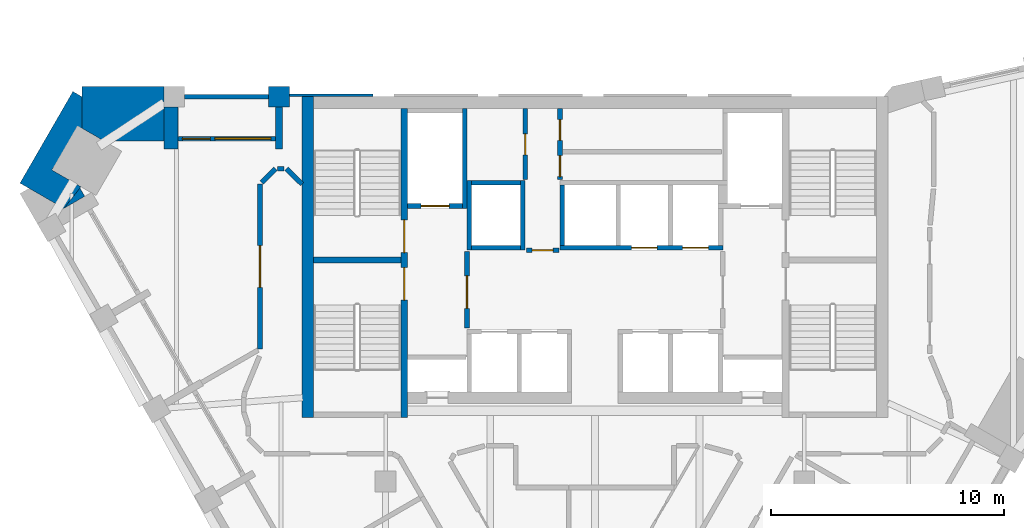
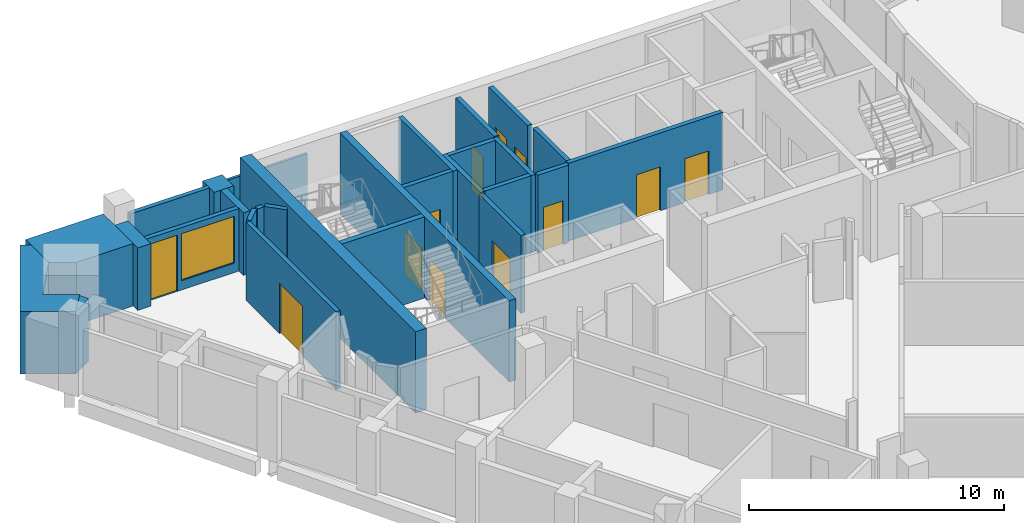
# One storey, part 5 of 8: 28 walls, 12 doors, 1 window, 13 openings.
"""IFC4 building model written with IfcOpenShell, lengths in metres."""

from ifc_helpers import new_model, si_unit, direction, frame, frame_2d, origin, place, context, subcontext, project, spatial, polyline, rectangle, outline, extrude, material, layer, layer_set, type_object, element, fill, save


model = new_model("IFC4")

# Units and contexts
model_context = context("Model", 3, precision=1e-05, world=origin(), true_north=direction((0.0, 1.0)))
body_context = subcontext(model_context, "Body", "Model", "MODEL_VIEW")
ifc_project = project(units=[si_unit("LENGTHUNIT", "METRE"), si_unit("AREAUNIT", "SQUARE_METRE"), si_unit("VOLUMEUNIT", "CUBIC_METRE"), si_unit("PLANEANGLEUNIT", "RADIAN"), si_unit("MASSUNIT", "GRAM", prefix="KILO")], contexts=[model_context])

# Site, building, storey
site_placement = place(None, origin())
site = spatial("IfcSite", under=ifc_project, at=site_placement, CompositionType="ELEMENT")
building_placement = place(site_placement, origin())
building = spatial("IfcBuilding", under=site, at=building_placement, Name="Calabash Gate Tower", CompositionType="ELEMENT")
storey_placement = place(building_placement, frame((0.0, 0.0, 259.89990234375)))
storey = spatial("IfcBuildingStorey", under=building, at=storey_placement, Name="L62", CompositionType="ELEMENT", Elevation=259.89990234375)

# Walls
ifc_material_1 = material(Name="Terracotta brick masonry, exposed face", Category="masonry")
ifc_layer_1 = layer(ifc_material_1, 2.35009765625)
ifc_layer_set_1 = layer_set([ifc_layer_1], Name="Brick corner mass wall 2350")
wall_type_1 = type_object("IfcWallType", Name="Brick corner mass wall 2350", PredefinedType="SOLIDWALL", material=ifc_layer_set_1)
wall_1_placement = place(storey_placement, origin())
element("IfcWall", 1, at=wall_1_placement, inside=storey, type_object=wall_type_1, Name="Brick corner pier S18 3a", PredefinedType="SOLIDWALL", context=body_context, shape_type="SweptSolid", body=[
    extrude(outline(polyline([(-21.11572265625, 17.152587890625), (-18.53857421875, 17.152587890625), (-18.53857421875, 18.60302734375), (-18.5390625, 18.60302734375), (-18.5390625, 19.50244140625), (-22.058349609375, 19.50244140625), (-22.058349609375, 17.69677734375), (-21.11572265625, 17.152587890625)])), origin(), (0.0, 0.0, 1.0), 3.0),
])
wall_2_placement = place(storey_placement, origin())
element("IfcWall", 2, at=wall_2_placement, inside=storey, type_object=wall_type_1, Name="Brick corner pier S18 3b", PredefinedType="SOLIDWALL", context=body_context, shape_type="SweptSolid", body=[
    extrude(outline(polyline([(-23.355712890625, 15.9052734375), (-22.058349609375, 17.69677734375), (-22.058349609375, 19.052490234375), (-22.4482421875, 19.277587890625), (-24.72216796875, 15.3388671875), (-22.836669921875, 14.250244140625), (-22.10009765625, 15.180419921875), (-23.355712890625, 15.9052734375)])), origin(), (0.0, 0.0, 1.0), 3.0),
])
wall_3_placement = place(storey_placement, origin())
element("IfcWall", 3, at=wall_3_placement, inside=storey, type_object=wall_type_1, Name="Brick corner pier S18 3cb", PredefinedType="SOLIDWALL", context=body_context, shape_type="SweptSolid", body=[
    extrude(outline(polyline([(-21.939208984375, 14.768310546875), (-22.14453125, 15.124267578125), (-22.836669921875, 14.250244140625), (-21.939208984375, 14.768310546875)])), origin(), (0.0, 0.0, 1.0), 3.0),
])
ifc_material_2 = material(Name="Terracotta brick masonry, exposed face", Category="masonry")
ifc_layer_2 = layer(ifc_material_2, 0.89990234375)
ifc_layer_set_2 = layer_set([ifc_layer_2], Name="Brick end wall 900")
wall_type_2 = type_object("IfcWallType", Name="Brick end wall 900", PredefinedType="SOLIDWALL", material=ifc_layer_set_2)
wall_4_placement = place(storey_placement, origin())
element("IfcWall", 4, at=wall_4_placement, inside=storey, type_object=wall_type_2, Name="Brick pier S18 N6.5", PredefinedType="SOLIDWALL", context=body_context, shape_type="SweptSolid", body=[
    extrude(outline(polyline([(-13.138427734375, 19.50244140625), (-14.03857421875, 19.50244140625), (-14.03857421875, 18.6025390625), (-13.138427734375, 18.6025390625), (-13.138427734375, 19.50244140625)])), origin(), (0.0, 0.0, 1.0), 3.0),
])
ifc_material_3 = material(Name="Terracotta brick masonry, exposed face", Category="masonry")
ifc_layer_3 = layer(ifc_material_3, 0.300048828125)
ifc_layer_set_3 = layer_set([ifc_layer_3], Name="Brick loggia cheek wall 300")
wall_type_3 = type_object("IfcWallType", Name="Brick loggia cheek wall 300", PredefinedType="SOLIDWALL", material=ifc_layer_set_3)
wall_5_placement = place(storey_placement, origin())
element("IfcWall", 5, at=wall_5_placement, inside=storey, type_object=wall_type_3, Name="Loggia cheek S18 N6.5", PredefinedType="SOLIDWALL", context=body_context, shape_type="SweptSolid", body=[
    extrude(outline(polyline([(-13.4384765625, 16.802490234375), (-13.4384765625, 18.6025390625), (-13.738525390625, 18.6025390625), (-13.738525390625, 16.802490234375), (-13.4384765625, 16.802490234375)])), origin(), (0.0, 0.0, 1.0), 3.0),
])
wall_6_placement = place(storey_placement, origin())
element("IfcWall", 6, at=wall_6_placement, inside=storey, type_object=wall_type_3, Name="Loggia cheek S18 N6.6", PredefinedType="SOLIDWALL", context=body_context, shape_type="SweptSolid", body=[
    extrude(outline(polyline([(-18.53857421875, 18.6025390625), (-18.53857421875, 16.802490234375), (-17.9384765625, 16.802490234375), (-17.9384765625, 18.6025390625), (-18.53857421875, 18.6025390625)])), origin(), (0.0, 0.0, 1.0), 3.0),
])
ifc_material_4 = material(Name="Concrete C60/75", Category="concrete")
ifc_layer_4 = layer(ifc_material_4, 0.25)
ifc_layer_set_4 = layer_set([ifc_layer_4], Name="Core wall 250 Concrete C60/75")
wall_type_4 = type_object("IfcWallType", Name="Core wall 250 Concrete C60/75", PredefinedType="SHEAR", material=ifc_layer_set_4)
wall_7_placement = place(storey_placement, frame((-12.10009765625, 12.027587890625, 0.0), z_axis=(0.0, 0.0, 1.0), x_axis=(1.0, 0.0, 0.0)))
element("IfcWall", 7, at=wall_7_placement, inside=storey, type_object=wall_type_4, Name="Core wall Z5-MIDW L62", PredefinedType="SHEAR", context=body_context, shape_type="SweptSolid", body=[
    extrude(rectangle(XDim=3.75, YDim=0.25, at=frame_2d((1.875, 0.0))), origin(), (0.0, 0.0, 1.0), 3.900146484375),
])

# Wall, openings, doors
ifc_material_5 = material(Name="Concrete C60/75", Category="concrete")
ifc_layer_5 = layer(ifc_material_5, 0.300048828125)
ifc_layer_set_5 = layer_set([ifc_layer_5], Name="Core wall 300 Concrete C60/75")
wall_type_5 = type_object("IfcWallType", Name="Core wall 300 Concrete C60/75", PredefinedType="SHEAR", material=ifc_layer_set_5)
wall_8_placement = place(storey_placement, frame((-8.199951171875, 5.252685546875, 0.0), z_axis=(0.0, 0.0, 1.0), x_axis=(0.0, 1.0, 0.0)))
wall_8 = element("IfcWall", 8, at=wall_8_placement, inside=storey, type_object=wall_type_5, Name="Core wall Z5-PARTW L62", PredefinedType="SHEAR", context=body_context, shape_type="SweptSolid", body=[
    extrude(rectangle(XDim=13.2998046875, YDim=0.300048828125, at=frame_2d((6.64990234375, 0.0))), origin(), (0.0, 0.0, 1.0), 3.900146484375),
])
opening_1_placement = place(wall_8_placement, frame((7.10009765625, 0.0, 0.0)))
opening_1 = element("IfcOpeningElement", 9, at=opening_1_placement, cuts=wall_8, Name="Opening O10-009", PredefinedType="OPENING", context=body_context, shape_type="SweptSolid", body=[
    extrude(rectangle(XDim=1.39990234375, YDim=2.10009765625, at=frame_2d((0.699951171875, 1.050048828125))), frame((0.0, 0.159912109375, 0.0), z_axis=(0.0, -1.0, 0.0), x_axis=(1.0, 0.0, 0.0)), (0.0, 0.0, 1.0), 0.320068359375),
])
opening_2_placement = place(wall_8_placement, frame((5.050048828125, 0.0, 0.0)))
opening_2 = element("IfcOpeningElement", 10, at=opening_2_placement, cuts=wall_8, Name="Opening O10-010", PredefinedType="OPENING", context=body_context, shape_type="SweptSolid", body=[
    extrude(rectangle(XDim=1.39990234375, YDim=2.10009765625, at=frame_2d((0.699951171875, 1.050048828125))), frame((0.0, 0.159912109375, 0.0), z_axis=(0.0, -1.0, 0.0), x_axis=(1.0, 0.0, 0.0)), (0.0, 0.0, 1.0), 0.320068359375),
])
ifc_material_6 = material(Name="Steel fire door set with fire-resisting glazing", Category="steel")
door_type_1 = type_object("IfcDoorType", Name="Fire door D05 1400x2100 FD90", OperationType="NOTDEFINED", PredefinedType="DOOR", material=ifc_material_6)
door_1_placement = place(opening_1_placement, origin())
door_1 = element("IfcDoor", 11, at=door_1_placement, inside=storey, type_object=door_type_1, Name="Exit stair door ST1", OperationType="SINGLE_SWING_LEFT", OverallHeight=2.10009765625, OverallWidth=1.39990234375, PredefinedType="DOOR", context=body_context, shape_type="SweptSolid", body=[
    extrude(rectangle(XDim=1.39990234375, YDim=2.10009765625, at=frame_2d((0.699951171875, 1.050048828125))), frame((0.0, 0.02490234375, 0.0), z_axis=(0.0, -1.0, 0.0), x_axis=(1.0, 0.0, 0.0)), (0.0, 0.0, 1.0), 0.050048828125),
])
fill(opening_1, door_1)
door_2_placement = place(opening_2_placement, origin())
door_2 = element("IfcDoor", 12, at=door_2_placement, inside=storey, type_object=door_type_1, Name="Exit stair door ST2", OperationType="SINGLE_SWING_LEFT", OverallHeight=2.10009765625, OverallWidth=1.39990234375, PredefinedType="DOOR", context=body_context, shape_type="SweptSolid", body=[
    extrude(rectangle(XDim=1.39990234375, YDim=2.10009765625, at=frame_2d((0.699951171875, 1.050048828125))), frame((0.0, 0.02490234375, 0.0), z_axis=(0.0, -1.0, 0.0), x_axis=(1.0, 0.0, 0.0)), (0.0, 0.0, 1.0), 0.050048828125),
])
fill(opening_2, door_2)

# Wall
ifc_material_7 = material(Name="Concrete C60/75", Category="concrete")
ifc_layer_6 = layer(ifc_material_7, 0.5)
ifc_layer_set_6 = layer_set([ifc_layer_6], Name="Core wall 500 Concrete C60/75")
wall_type_6 = type_object("IfcWallType", Name="Core wall 500 Concrete C60/75", PredefinedType="SHEAR", material=ifc_layer_set_6)
wall_9_placement = place(storey_placement, frame((-12.35009765625, 5.252685546875, 0.0), z_axis=(0.0, 0.0, 1.0), x_axis=(0.0, 1.0, 0.0)))
element("IfcWall", 13, at=wall_9_placement, inside=storey, type_object=wall_type_6, Name="Core wall Z5-COLW L62", PredefinedType="SHEAR", context=body_context, shape_type="SweptSolid", body=[
    extrude(rectangle(XDim=13.7998046875, YDim=0.5, at=frame_2d((6.89990234375, 0.0))), origin(), (0.0, 0.0, 1.0), 3.900146484375),
])

# Wall, opening, door
ifc_material_8 = material(Name="Gypsum board on steel studs, mineral wool", Category="steel")
ifc_layer_7 = layer(ifc_material_8, 0.199951171875)
ifc_layer_set_7 = layer_set([ifc_layer_7], Name="Partition 200 gypsum board EI 60")
wall_type_7 = type_object("IfcWallType", Name="Partition 200 gypsum board EI 60", PredefinedType="PARTITIONING", material=ifc_layer_set_7)
wall_10_placement = place(storey_placement, frame((-14.402099609375, 8.2080078125, 0.0), z_axis=(0.0, 0.0, 1.0), x_axis=(0.000241221262, 0.999999970906, 0.0)))
wall_10 = element("IfcWall", 14, at=wall_10_placement, inside=storey, type_object=wall_type_7, Name="Partition", PredefinedType="PARTITIONING", context=body_context, shape_type="SweptSolid", body=[
    extrude(rectangle(XDim=7.084716796875, YDim=0.199951171875, at=frame_2d((3.54248046875, 0.0))), origin(), (0.0, 0.0, 1.0), 3.72998046875),
])
opening_3_placement = place(wall_10_placement, frame((2.642822265625, 0.0, 0.0)))
opening_3 = element("IfcOpeningElement", 15, at=opening_3_placement, cuts=wall_10, Name="Opening 62-64-006", PredefinedType="OPENING", context=body_context, shape_type="SweptSolid", body=[
    extrude(rectangle(XDim=1.800048828125, YDim=2.39990234375, at=frame_2d((0.89990234375, 1.199951171875))), frame((0.0, 0.10986328125, 0.0), z_axis=(0.0, -1.0, 0.0), x_axis=(1.0, 0.0, 0.0)), (0.0, 0.0, 1.0), 0.219970703125),
])
ifc_material_9 = material(Name="Steel fire door set with fire-resisting glazing", Category="steel")
door_type_2 = type_object("IfcDoorType", Name="OD5 Open office double door 1800x2400", OperationType="NOTDEFINED", PredefinedType="DOOR", material=ifc_material_9)
door_3_placement = place(opening_3_placement, origin())
door_3 = element("IfcDoor", 16, at=door_3_placement, inside=storey, type_object=door_type_2, Name="Open office double door", OperationType="DOUBLE_DOOR_SINGLE_SWING", OverallHeight=2.39990234375, OverallWidth=1.800048828125, PredefinedType="DOOR", context=body_context, shape_type="SweptSolid", body=[
    extrude(rectangle(XDim=1.800048828125, YDim=2.39990234375, at=frame_2d((0.89990234375, 1.199951171875))), frame((0.0, 0.02490234375, 0.0), z_axis=(0.0, -1.0, 0.0), x_axis=(1.0, 0.0, 0.0)), (0.0, 0.0, 1.0), 0.050048828125),
])
fill(opening_3, door_3)

# Walls
wall_11_placement = place(storey_placement, frame((-14.329833984375, 15.36328125, 0.0), z_axis=(0.0, 0.0, 1.0), x_axis=(0.707106781187, 0.707106781187, 0.0)))
element("IfcWall", 17, at=wall_11_placement, inside=storey, type_object=wall_type_7, Name="Partition", PredefinedType="PARTITIONING", context=body_context, shape_type="SweptSolid", body=[
    extrude(rectangle(XDim=0.834228515625, YDim=0.199951171875, at=frame_2d((0.4169921875, 0.0))), origin(), (0.0, 0.0, 1.0), 3.72998046875),
])
wall_12_placement = place(storey_placement, frame((-13.639892578125, 15.952880859375, 0.0), z_axis=(0.0, 0.0, 1.0), x_axis=(1.0, 0.0, 0.0)))
element("IfcWall", 18, at=wall_12_placement, inside=storey, type_object=wall_type_7, Name="Partition", PredefinedType="PARTITIONING", context=body_context, shape_type="SweptSolid", body=[
    extrude(rectangle(XDim=0.280029296875, YDim=0.199951171875, at=frame_2d((0.14013671875, 0.0))), origin(), (0.0, 0.0, 1.0), 3.72998046875),
])
wall_13_placement = place(storey_placement, frame((-13.259765625, 15.952880859375, 0.0), z_axis=(0.0, 0.0, 1.0), x_axis=(0.708285399161, -0.705926195389, 0.0)))
element("IfcWall", 19, at=wall_13_placement, inside=storey, type_object=wall_type_7, Name="Partition", PredefinedType="PARTITIONING", context=body_context, shape_type="SweptSolid", body=[
    extrude(rectangle(XDim=0.931396484375, YDim=0.199951171875, at=frame_2d((0.4658203125, 0.0))), origin(), (0.0, 0.0, 1.0), 3.72998046875),
])

# Wall, opening, door
ifc_material_10 = material(Name="Concrete C40/50", Category="concrete")
ifc_layer_8 = layer(ifc_material_10, 0.199951171875)
ifc_layer_set_8 = layer_set([ifc_layer_8], Name="Shaft wall 200 Concrete C40/50")
wall_type_8 = type_object("IfcWallType", Name="Shaft wall 200 Concrete C40/50", PredefinedType="SOLIDWALL", material=ifc_layer_set_8)
wall_14_placement = place(storey_placement, frame((-5.5, 9.1025390625, 0.0), z_axis=(0.0, 0.0, 1.0), x_axis=(0.0, 1.0, 0.0)))
wall_14 = element("IfcWall", 20, at=wall_14_placement, inside=storey, type_object=wall_type_8, Name="Shaft wall", PredefinedType="SOLIDWALL", context=body_context, shape_type="SweptSolid", body=[
    extrude(rectangle(XDim=3.300048828125, YDim=0.199951171875, at=frame_2d((1.64990234375, 0.0))), origin(), (0.0, 0.0, 1.0), 3.72998046875),
])
opening_4_placement = place(wall_14_placement, frame((0.85009765625, 0.0, 0.0)))
opening_4 = element("IfcOpeningElement", 21, at=opening_4_placement, cuts=wall_14, Name="Opening O10-003", PredefinedType="OPENING", context=body_context, shape_type="SweptSolid", body=[
    extrude(rectangle(XDim=1.39990234375, YDim=2.10009765625, at=frame_2d((0.699951171875, 1.050048828125))), frame((0.0, 0.10986328125, 0.0), z_axis=(0.0, -1.0, 0.0), x_axis=(1.0, 0.0, 0.0)), (0.0, 0.0, 1.0), 0.219970703125),
])
door_4_placement = place(opening_4_placement, origin())
door_4 = element("IfcDoor", 22, at=door_4_placement, inside=storey, type_object=door_type_1, Name="Firefighting Lobby W door", OperationType="SINGLE_SWING_RIGHT", OverallHeight=2.10009765625, OverallWidth=1.39990234375, PredefinedType="DOOR", context=body_context, shape_type="SweptSolid", body=[
    extrude(rectangle(XDim=1.39990234375, YDim=2.10009765625, at=frame_2d((0.699951171875, 1.050048828125))), frame((0.0, 0.02490234375, 0.0), z_axis=(0.0, -1.0, 0.0), x_axis=(1.0, 0.0, 0.0)), (0.0, 0.0, 1.0), 0.050048828125),
])
fill(opening_4, door_4)

wall_15_placement = place(storey_placement, frame((-2.949951171875, 12.45263671875, 0.0), z_axis=(0.0, 0.0, 1.0), x_axis=(1.0, 0.0, 0.0)))
wall_15 = element("IfcWall", 23, at=wall_15_placement, inside=storey, type_object=wall_type_8, Name="Shaft wall", PredefinedType="SOLIDWALL", context=body_context, shape_type="SweptSolid", body=[
    extrude(rectangle(XDim=1.39990234375, YDim=0.199951171875, at=frame_2d((0.699951171875, 0.0))), origin(), (0.0, 0.0, 1.0), 3.72998046875),
])
opening_5_placement = place(wall_15_placement, frame((0.25, 0.0, 0.0)))
opening_5 = element("IfcOpeningElement", 24, at=opening_5_placement, cuts=wall_15, Name="Opening O10-001", PredefinedType="OPENING", context=body_context, shape_type="SweptSolid", body=[
    extrude(rectangle(XDim=0.89990234375, YDim=2.10009765625, at=frame_2d((0.449951171875, 1.050048828125))), frame((0.0, 0.10986328125, 0.0), z_axis=(0.0, -1.0, 0.0), x_axis=(1.0, 0.0, 0.0)), (0.0, 0.0, 1.0), 0.219970703125),
])
ifc_material_11 = material(Name="Steel fire door set with fire-resisting glazing", Category="steel")
door_type_3 = type_object("IfcDoorType", Name="Fire door D06 900x2100 FD60", OperationType="NOTDEFINED", PredefinedType="DOOR", material=ifc_material_11)
door_5_placement = place(opening_5_placement, origin())
door_5 = element("IfcDoor", 25, at=door_5_placement, inside=storey, type_object=door_type_3, Name="Service Corridor door", OperationType="SINGLE_SWING_RIGHT", OverallHeight=2.10009765625, OverallWidth=0.89990234375, PredefinedType="DOOR", context=body_context, shape_type="SweptSolid", body=[
    extrude(rectangle(XDim=0.89990234375, YDim=2.10009765625, at=frame_2d((0.449951171875, 1.050048828125))), frame((0.0, 0.02490234375, 0.0), z_axis=(0.0, -1.0, 0.0), x_axis=(1.0, 0.0, 0.0)), (0.0, 0.0, 1.0), 0.050048828125),
])
fill(opening_5, door_5)

# Walls
wall_16_placement = place(storey_placement, frame((-5.39990234375, 12.45263671875, 0.0), z_axis=(0.0, 0.0, 1.0), x_axis=(0.0, 1.0, 0.0)))
element("IfcWall", 26, at=wall_16_placement, inside=storey, type_object=wall_type_8, Name="Shaft wall", PredefinedType="SOLIDWALL", context=body_context, shape_type="SweptSolid", body=[
    extrude(rectangle(XDim=3.0, YDim=0.199951171875, at=frame_2d((1.5, 0.0))), origin(), (0.0, 0.0, 1.0), 3.72998046875),
])
wall_17_placement = place(storey_placement, frame((-5.300048828125, 12.552490234375, 0.0), z_axis=(0.0, 0.0, 1.0), x_axis=(1.0, 0.0, 0.0)))
element("IfcWall", 27, at=wall_17_placement, inside=storey, type_object=wall_type_8, Name="Shaft wall", PredefinedType="SOLIDWALL", context=body_context, shape_type="SweptSolid", body=[
    extrude(rectangle(XDim=2.10009765625, YDim=0.199951171875, at=frame_2d((1.050048828125, 0.0))), origin(), (0.0, 0.0, 1.0), 3.72998046875),
])
wall_18_placement = place(storey_placement, frame((-3.10009765625, 12.45263671875, 0.0), z_axis=(0.0, 0.0, 1.0), x_axis=(0.0, 1.0, 0.0)))
element("IfcWall", 28, at=wall_18_placement, inside=storey, type_object=wall_type_8, Name="Shaft wall", PredefinedType="SOLIDWALL", context=body_context, shape_type="SweptSolid", body=[
    extrude(rectangle(XDim=3.0, YDim=0.199951171875, at=frame_2d((1.5, 0.0))), origin(), (0.0, 0.0, 1.0), 3.72998046875),
])

# Wall, openings, doors
wall_19_placement = place(storey_placement, frame((-1.5, 12.552490234375, 0.0), z_axis=(0.0, 0.0, 1.0), x_axis=(1.0, 0.0, 0.0)))
wall_19 = element("IfcWall", 29, at=wall_19_placement, inside=storey, type_object=wall_type_8, Name="Shaft wall", PredefinedType="SOLIDWALL", context=body_context, shape_type="SweptSolid", body=[
    extrude(rectangle(XDim=7.0, YDim=0.199951171875, at=frame_2d((3.5, 0.0))), origin(), (0.0, 0.0, 1.0), 3.72998046875),
])
opening_6_placement = place(wall_19_placement, frame((3.074951171875, 0.0, 0.0)))
opening_6 = element("IfcOpeningElement", 30, at=opening_6_placement, cuts=wall_19, Name="Opening LD-HR5", PredefinedType="OPENING", context=body_context, shape_type="SweptSolid", body=[
    extrude(rectangle(XDim=1.10009765625, YDim=2.10009765625, at=frame_2d((0.550048828125, 1.050048828125))), frame((0.0, 0.10986328125, 0.0), z_axis=(0.0, -1.0, 0.0), x_axis=(1.0, 0.0, 0.0)), (0.0, 0.0, 1.0), 0.219970703125),
])
opening_7_placement = place(wall_19_placement, frame((5.27490234375, 0.0, 0.0)))
opening_7 = element("IfcOpeningElement", 31, at=opening_7_placement, cuts=wall_19, Name="Opening LD-HR6", PredefinedType="OPENING", context=body_context, shape_type="SweptSolid", body=[
    extrude(rectangle(XDim=1.10009765625, YDim=2.10009765625, at=frame_2d((0.550048828125, 1.050048828125))), frame((0.0, 0.10986328125, 0.0), z_axis=(0.0, -1.0, 0.0), x_axis=(1.0, 0.0, 0.0)), (0.0, 0.0, 1.0), 0.219970703125),
])
ifc_material_12 = material(Name="Stainless steel sliding door leaves", Category="steel")
door_type_4 = type_object("IfcDoorType", Name="Lift landing door LS1 1100x2100 FD90", OperationType="DOUBLE_DOOR_SLIDING", PredefinedType="DOOR", material=ifc_material_12)
door_6_placement = place(opening_6_placement, origin())
door_6 = element("IfcDoor", 32, at=door_6_placement, inside=storey, type_object=door_type_4, Name="Lift landing door HR5", OperationType="DOUBLE_DOOR_SLIDING", OverallHeight=2.10009765625, OverallWidth=1.10009765625, PredefinedType="DOOR", context=body_context, shape_type="SweptSolid", body=[
    extrude(rectangle(XDim=1.10009765625, YDim=2.10009765625, at=frame_2d((0.550048828125, 1.050048828125))), frame((0.0, 0.02490234375, 0.0), z_axis=(0.0, -1.0, 0.0), x_axis=(1.0, 0.0, 0.0)), (0.0, 0.0, 1.0), 0.050048828125),
])
fill(opening_6, door_6)
door_7_placement = place(opening_7_placement, origin())
door_7 = element("IfcDoor", 33, at=door_7_placement, inside=storey, type_object=door_type_4, Name="Lift landing door HR6", OperationType="DOUBLE_DOOR_SLIDING", OverallHeight=2.10009765625, OverallWidth=1.10009765625, PredefinedType="DOOR", context=body_context, shape_type="SweptSolid", body=[
    extrude(rectangle(XDim=1.10009765625, YDim=2.10009765625, at=frame_2d((0.550048828125, 1.050048828125))), frame((0.0, 0.02490234375, 0.0), z_axis=(0.0, -1.0, 0.0), x_axis=(1.0, 0.0, 0.0)), (0.0, 0.0, 1.0), 0.050048828125),
])
fill(opening_7, door_7)

# Wall
wall_20_placement = place(storey_placement, frame((-1.39990234375, 12.652587890625, 0.0), z_axis=(0.0, 0.0, 1.0), x_axis=(0.0, 1.0, 0.0)))
element("IfcWall", 34, at=wall_20_placement, inside=storey, type_object=wall_type_8, Name="Shaft wall", PredefinedType="SOLIDWALL", context=body_context, shape_type="SweptSolid", body=[
    extrude(rectangle(XDim=2.60009765625, YDim=0.199951171875, at=frame_2d((1.300048828125, 0.0))), origin(), (0.0, 0.0, 1.0), 3.72998046875),
])

# Wall, opening, door
wall_21_placement = place(storey_placement, frame((-8.050048828125, 14.3525390625, 0.0), z_axis=(0.0, 0.0, 1.0), x_axis=(1.0, 0.0, 0.0)))
wall_21 = element("IfcWall", 35, at=wall_21_placement, inside=storey, type_object=wall_type_8, Name="Shaft wall", PredefinedType="SOLIDWALL", context=body_context, shape_type="SweptSolid", body=[
    extrude(rectangle(XDim=2.35009765625, YDim=0.199951171875, at=frame_2d((1.175048828125, 0.0))), origin(), (0.0, 0.0, 1.0), 3.72998046875),
])
opening_8_placement = place(wall_21_placement, frame((0.574951171875, 0.0, 0.0)))
opening_8 = element("IfcOpeningElement", 36, at=opening_8_placement, cuts=wall_21, Name="Opening LD-FF1", PredefinedType="OPENING", context=body_context, shape_type="SweptSolid", body=[
    extrude(rectangle(XDim=1.199951171875, YDim=2.10009765625, at=frame_2d((0.60009765625, 1.050048828125))), frame((0.0, 0.10986328125, 0.0), z_axis=(0.0, -1.0, 0.0), x_axis=(1.0, 0.0, 0.0)), (0.0, 0.0, 1.0), 0.219970703125),
])
ifc_material_13 = material(Name="Stainless steel sliding door leaves", Category="steel")
door_type_5 = type_object("IfcDoorType", Name="Lift landing door LS3 1200x2100 FD90", OperationType="DOUBLE_DOOR_SLIDING", PredefinedType="DOOR", material=ifc_material_13)
door_8_placement = place(opening_8_placement, origin())
door_8 = element("IfcDoor", 37, at=door_8_placement, inside=storey, type_object=door_type_5, Name="Lift landing door FF1", OperationType="DOUBLE_DOOR_SLIDING", OverallHeight=2.10009765625, OverallWidth=1.199951171875, PredefinedType="DOOR", context=body_context, shape_type="SweptSolid", body=[
    extrude(rectangle(XDim=1.199951171875, YDim=2.10009765625, at=frame_2d((0.60009765625, 1.050048828125))), frame((0.0, 0.02490234375, 0.0), z_axis=(0.0, -1.0, 0.0), x_axis=(1.0, 0.0, 0.0)), (0.0, 0.0, 1.0), 0.050048828125),
])
fill(opening_8, door_8)

# Walls
wall_22_placement = place(storey_placement, frame((-5.60009765625, 14.252685546875, 0.0), z_axis=(0.0, 0.0, 1.0), x_axis=(0.0, 1.0, 0.0)))
element("IfcWall", 38, at=wall_22_placement, inside=storey, type_object=wall_type_8, Name="Shaft wall", PredefinedType="SOLIDWALL", context=body_context, shape_type="SweptSolid", body=[
    extrude(rectangle(XDim=4.2998046875, YDim=0.199951171875, at=frame_2d((2.14990234375, 0.0))), origin(), (0.0, 0.0, 1.0), 3.72998046875),
])
wall_23_placement = place(storey_placement, frame((-5.300048828125, 15.3525390625, 0.0), z_axis=(0.0, 0.0, 1.0), x_axis=(1.0, 0.0, 0.0)))
element("IfcWall", 39, at=wall_23_placement, inside=storey, type_object=wall_type_8, Name="Shaft wall", PredefinedType="SOLIDWALL", context=body_context, shape_type="SweptSolid", body=[
    extrude(rectangle(XDim=2.10009765625, YDim=0.199951171875, at=frame_2d((1.050048828125, 0.0))), origin(), (0.0, 0.0, 1.0), 3.72998046875),
])

# Wall, opening, door
wall_24_placement = place(storey_placement, frame((-3.0, 15.502685546875, 0.0), z_axis=(0.0, 0.0, 1.0), x_axis=(0.0, 1.0, 0.0)))
wall_24 = element("IfcWall", 40, at=wall_24_placement, inside=storey, type_object=wall_type_8, Name="Shaft wall", PredefinedType="SOLIDWALL", context=body_context, shape_type="SweptSolid", body=[
    extrude(rectangle(XDim=3.0498046875, YDim=0.199951171875, at=frame_2d((1.52490234375, 0.0))), origin(), (0.0, 0.0, 1.0), 3.72998046875),
])
opening_9_placement = place(wall_24_placement, frame((1.050048828125, 0.0, 0.0)))
opening_9 = element("IfcOpeningElement", 41, at=opening_9_placement, cuts=wall_24, Name="Opening O10-004", PredefinedType="OPENING", context=body_context, shape_type="SweptSolid", body=[
    extrude(rectangle(XDim=0.89990234375, YDim=2.10009765625, at=frame_2d((0.449951171875, 1.050048828125))), frame((0.0, 0.10986328125, 0.0), z_axis=(0.0, -1.0, 0.0), x_axis=(1.0, 0.0, 0.0)), (0.0, 0.0, 1.0), 0.219970703125),
])
door_9_placement = place(opening_9_placement, origin())
door_9 = element("IfcDoor", 42, at=door_9_placement, inside=storey, type_object=door_type_3, Name="Accessible WC door", OperationType="SINGLE_SWING_LEFT", OverallHeight=2.10009765625, OverallWidth=0.89990234375, PredefinedType="DOOR", context=body_context, shape_type="SweptSolid", body=[
    extrude(rectangle(XDim=0.89990234375, YDim=2.10009765625, at=frame_2d((0.449951171875, 1.050048828125))), frame((0.0, 0.02490234375, 0.0), z_axis=(0.0, -1.0, 0.0), x_axis=(1.0, 0.0, 0.0)), (0.0, 0.0, 1.0), 0.050048828125),
])
fill(opening_9, door_9)

# Wall, openings, doors
wall_25_placement = place(storey_placement, frame((-1.5, 15.502685546875, 0.0), z_axis=(0.0, 0.0, 1.0), x_axis=(0.0, 1.0, 0.0)))
wall_25 = element("IfcWall", 43, at=wall_25_placement, inside=storey, type_object=wall_type_8, Name="Shaft wall", PredefinedType="SOLIDWALL", context=body_context, shape_type="SweptSolid", body=[
    extrude(rectangle(XDim=3.0498046875, YDim=0.199951171875, at=frame_2d((1.52490234375, 0.0))), origin(), (0.0, 0.0, 1.0), 3.72998046875),
])
opening_10_placement = place(wall_25_placement, frame((0.1201171875, 0.0, 0.0)))
opening_10 = element("IfcOpeningElement", 44, at=opening_10_placement, cuts=wall_25, Name="Opening O10-005", PredefinedType="OPENING", context=body_context, shape_type="SweptSolid", body=[
    extrude(rectangle(XDim=0.89990234375, YDim=2.10009765625, at=frame_2d((0.449951171875, 1.050048828125))), frame((0.0, 0.10986328125, 0.0), z_axis=(0.0, -1.0, 0.0), x_axis=(1.0, 0.0, 0.0)), (0.0, 0.0, 1.0), 0.219970703125),
])
opening_11_placement = place(wall_25_placement, frame((1.669921875, 0.0, 0.0)))
opening_11 = element("IfcOpeningElement", 45, at=opening_11_placement, cuts=wall_25, Name="Opening O10-006", PredefinedType="OPENING", context=body_context, shape_type="SweptSolid", body=[
    extrude(rectangle(XDim=0.89990234375, YDim=2.10009765625, at=frame_2d((0.449951171875, 1.050048828125))), frame((0.0, 0.10986328125, 0.0), z_axis=(0.0, -1.0, 0.0), x_axis=(1.0, 0.0, 0.0)), (0.0, 0.0, 1.0), 0.219970703125),
])
door_10_placement = place(opening_10_placement, origin())
door_10 = element("IfcDoor", 46, at=door_10_placement, inside=storey, type_object=door_type_3, Name="Meter Room door", OperationType="SINGLE_SWING_LEFT", OverallHeight=2.10009765625, OverallWidth=0.89990234375, PredefinedType="DOOR", context=body_context, shape_type="SweptSolid", body=[
    extrude(rectangle(XDim=0.89990234375, YDim=2.10009765625, at=frame_2d((0.449951171875, 1.050048828125))), frame((0.0, 0.02490234375, 0.0), z_axis=(0.0, -1.0, 0.0), x_axis=(1.0, 0.0, 0.0)), (0.0, 0.0, 1.0), 0.050048828125),
])
fill(opening_10, door_10)
door_11_placement = place(opening_11_placement, origin())
door_11 = element("IfcDoor", 47, at=door_11_placement, inside=storey, type_object=door_type_3, Name="Cleaner's Store door", OperationType="SINGLE_SWING_LEFT", OverallHeight=2.10009765625, OverallWidth=0.89990234375, PredefinedType="DOOR", context=body_context, shape_type="SweptSolid", body=[
    extrude(rectangle(XDim=0.89990234375, YDim=2.10009765625, at=frame_2d((0.449951171875, 1.050048828125))), frame((0.0, 0.02490234375, 0.0), z_axis=(0.0, -1.0, 0.0), x_axis=(1.0, 0.0, 0.0)), (0.0, 0.0, 1.0), 0.050048828125),
])
fill(opening_11, door_11)

# Walls
ifc_material_14 = material(Name="Terracotta brick masonry, perforated", Category="masonry")
ifc_layer_9 = layer(ifc_material_14, 0.1201171875)
ifc_layer_set_9 = layer_set([ifc_layer_9], Name="Terracotta jaali cladding B 120")
wall_type_9 = type_object("IfcWallType", Name="Terracotta jaali cladding B 120", PredefinedType="SOLIDWALL", material=ifc_layer_set_9)
wall_26_placement = place(storey_placement, origin())
element("IfcWall", 48, at=wall_26_placement, inside=storey, type_object=wall_type_9, Name="Jaali cladding S18 N6.5", PredefinedType="SOLIDWALL", context=body_context, shape_type="SweptSolid", body=[
    extrude(outline(polyline([(-13.137939453125, 19.172607421875), (-13.137939453125, 19.052490234375), (-9.53857421875, 19.052490234375), (-9.53857421875, 19.172607421875), (-13.137939453125, 19.172607421875)])), origin(), (0.0, 0.0, 1.0), 3.0),
])
ifc_material_15 = material(Name="Terracotta brick masonry, perforated", Category="masonry")
ifc_layer_10 = layer(ifc_material_15, 0.199951171875)
ifc_layer_set_10 = layer_set([ifc_layer_10], Name="Terracotta jaali screen B")
wall_type_10 = type_object("IfcWallType", Name="Terracotta jaali screen B", PredefinedType="SOLIDWALL", material=ifc_layer_set_10)
wall_27_placement = place(storey_placement, frame((-14.03857421875, 19.052490234375, 0.0), z_axis=(0.0, 0.0, 1.0), x_axis=(-1.0, 0.0, 0.0)))
element("IfcWall", 49, at=wall_27_placement, inside=storey, type_object=wall_type_10, Name="SCREEN B S18 N6.6", PredefinedType="SOLIDWALL", context=body_context, shape_type="SweptSolid", body=[
    extrude(rectangle(XDim=3.599853515625, YDim=0.199951171875, at=frame_2d((1.7998046875, 0.0))), origin(), (0.0, 0.0, 1.0), 3.0),
])

# Wall, openings, door, window
ifc_material_16 = material(Name="Aluminium framed window wall with insulated spandrel", Category="aluminium")
ifc_layer_11 = layer(ifc_material_16, 0.199951171875)
ifc_layer_set_11 = layer_set([ifc_layer_11], Name="Window wall 200")
wall_type_11 = type_object("IfcWallType", Name="Window wall 200", PredefinedType="ELEMENTEDWALL", material=ifc_layer_set_11)
wall_28_placement = place(storey_placement, frame((-13.738525390625, 17.25244140625, 0.0), z_axis=(0.0, 0.0, 1.0), x_axis=(-1.0, 0.0, 0.0)))
wall_28 = element("IfcWall", 50, at=wall_28_placement, inside=storey, type_object=wall_type_11, Name="Window wall S18 N6.6", PredefinedType="ELEMENTEDWALL", context=body_context, shape_type="SweptSolid", body=[
    extrude(rectangle(XDim=4.199951171875, YDim=0.199951171875, at=frame_2d((2.10009765625, 0.0))), origin(), (0.0, 0.0, 1.0), 3.0),
])
opening_12_placement = place(wall_28_placement, frame((0.199951171875, 0.0, 0.449951171875)))
opening_12 = element("IfcOpeningElement", 51, at=opening_12_placement, cuts=wall_28, Name="Opening OW1", PredefinedType="OPENING", context=body_context, shape_type="SweptSolid", body=[
    extrude(rectangle(XDim=2.39990234375, YDim=2.25, at=frame_2d((1.199951171875, 1.125))), frame((0.0, 0.10986328125, 0.0), z_axis=(0.0, -1.0, 0.0), x_axis=(1.0, 0.0, 0.0)), (0.0, 0.0, 1.0), 0.219970703125),
])
opening_13_placement = place(wall_28_placement, frame((2.800048828125, 0.0, 0.0)))
opening_13 = element("IfcOpeningElement", 52, at=opening_13_placement, cuts=wall_28, Name="Opening O10-013", PredefinedType="OPENING", context=body_context, shape_type="SweptSolid", body=[
    extrude(rectangle(XDim=1.199951171875, YDim=2.699951171875, at=frame_2d((0.60009765625, 1.35009765625))), frame((0.0, 0.10986328125, 0.0), z_axis=(0.0, -1.0, 0.0), x_axis=(1.0, 0.0, 0.0)), (0.0, 0.0, 1.0), 0.219970703125),
])
ifc_material_17 = material(Name="Anodised aluminium frame, bronze finish, impact-rated laminated clear glazing", Category="aluminium")
door_type_6 = type_object("IfcDoorType", Name="Loggia door DO1 1200x2700", OperationType="SLIDING_TO_LEFT", PredefinedType="DOOR", material=ifc_material_17)
door_12_placement = place(opening_13_placement, origin())
door_12 = element("IfcDoor", 53, at=door_12_placement, inside=storey, type_object=door_type_6, Name="Loggia door S18 N6.6", OperationType="SINGLE_SWING_LEFT", OverallHeight=2.699951171875, OverallWidth=1.199951171875, PredefinedType="DOOR", context=body_context, shape_type="SweptSolid", body=[
    extrude(rectangle(XDim=1.199951171875, YDim=2.699951171875, at=frame_2d((0.60009765625, 1.35009765625))), frame((0.0, 0.02490234375, 0.0), z_axis=(0.0, -1.0, 0.0), x_axis=(1.0, 0.0, 0.0)), (0.0, 0.0, 1.0), 0.050048828125),
])
fill(opening_13, door_12)
ifc_material_18 = material(Name="Anodised aluminium frame, bronze finish, impact-rated laminated clear glazing", Category="aluminium")
window_type = type_object("IfcWindowType", Name="Window OW1 2400x2250", PartitioningType="DOUBLE_PANEL_VERTICAL", PredefinedType="WINDOW", material=ifc_material_18)
window_placement = place(opening_12_placement, origin())
window = element("IfcWindow", 54, at=window_placement, inside=storey, type_object=window_type, Name="Window OW1 S18 N6.6", OverallHeight=2.25, OverallWidth=2.39990234375, PartitioningType="SINGLE_PANEL", PredefinedType="WINDOW", context=body_context, shape_type="SweptSolid", body=[
    extrude(rectangle(XDim=2.39990234375, YDim=2.25, at=frame_2d((1.199951171875, 1.125))), frame((0.0, 0.030029296875, 0.0), z_axis=(0.0, -1.0, 0.0), x_axis=(1.0, 0.0, 0.0)), (0.0, 0.0, 1.0), 0.06005859375),
])
fill(opening_12, window)

save(model, "model.ifc")
